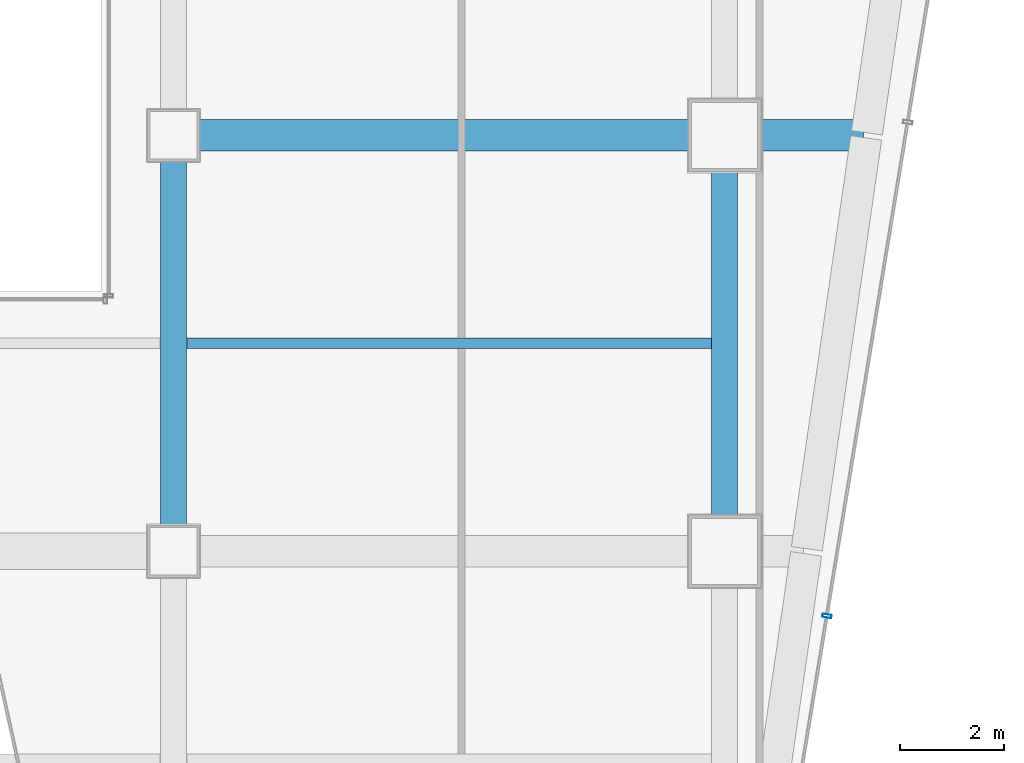
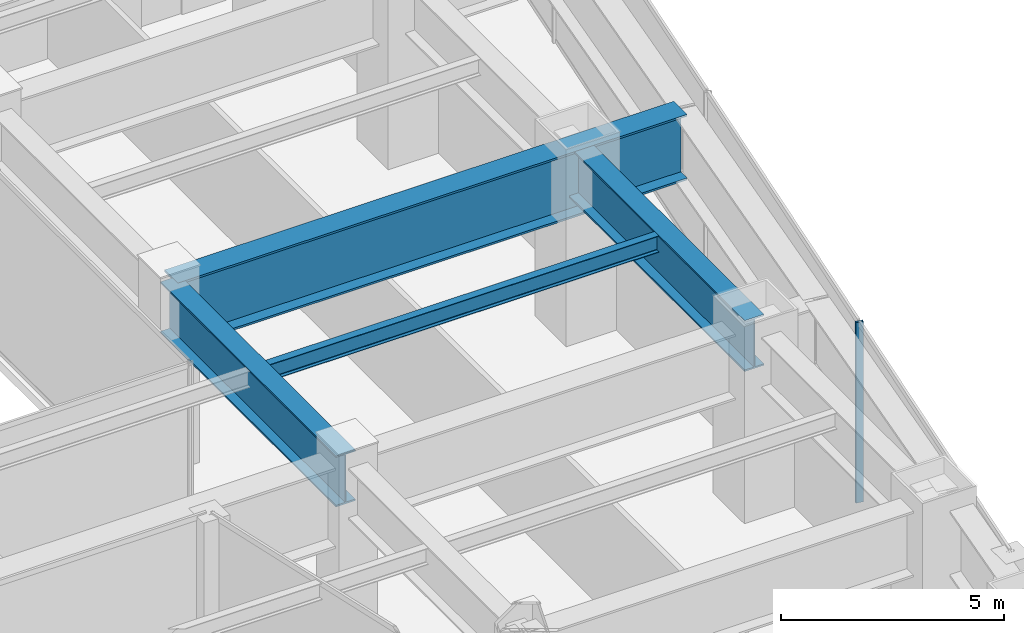
# One storey, part 21 of 42: 4 beams, 1 member, 1 element without a shape of its own.
"""IFC4 building model written with IfcOpenShell, lengths in metres."""

from ifc_helpers import new_model, si_unit, direction, frame, origin, origin_2d, place, context, subcontext, project, spatial, hollow_rectangle, i_section, extrude, material, material_profile, profile_set, type_object, element, aggregate, save


model = new_model("IFC4")

# Units and contexts
model_context = context("Model", 3, precision=1e-05, world=origin(), true_north=direction((0.0, 1.0)))
body_context = subcontext(model_context, "Body", "Model", "MODEL_VIEW")
ifc_project = project(units=[si_unit("LENGTHUNIT", "METRE"), si_unit("AREAUNIT", "SQUARE_METRE"), si_unit("VOLUMEUNIT", "CUBIC_METRE"), si_unit("PLANEANGLEUNIT", "RADIAN"), si_unit("MASSUNIT", "GRAM", prefix="KILO")], contexts=[model_context])

# Site, building, storey
site_placement = place(None, origin())
site = spatial("IfcSite", under=ifc_project, at=site_placement, CompositionType="ELEMENT")
building_placement = place(site_placement, origin())
building = spatial("IfcBuilding", under=site, at=building_placement, Name="Saevonmaru Cultural Tower", CompositionType="ELEMENT")
storey_placement = place(building_placement, frame((0.0, 0.0, 33.0)))
storey = spatial("IfcBuildingStorey", under=building, at=storey_placement, Name="L06", CompositionType="ELEMENT", Elevation=33.0)

# Beams
ifc_material_1 = material(Name="Steel SM355", Category="steel")
ifc_material_profile_1 = material_profile(ifc_material_1, i_section(OverallWidth=0.199951171875, OverallDepth=0.449951171875, WebThickness=0.009033203125, FlangeThickness=0.013916015625, FilletRadius=0.01806640625, at=origin_2d()), Name="H-450x200x9x14")
ifc_profile_set_1 = profile_set([ifc_material_profile_1], Name="Steel SM355")
beam_type_1 = type_object("IfcBeamType", Name="BM-J-H450", PredefinedType="JOIST", material=ifc_profile_set_1)
beam_1_placement = place(storey_placement, frame((37.4580078125, 20.0, 4.72509765625), z_axis=(1.0, 0.0, 0.0), x_axis=(0.0, 1.0, 0.0)))
element("IfcBeam", 1, at=beam_1_placement, inside=storey, type_object=beam_type_1, Name="L06 Secondary Floor Joist JE-2", PredefinedType="JOIST", context=body_context, shape_type="SweptSolid", body=[
    extrude(i_section(OverallWidth=0.199951171875, OverallDepth=0.449951171875, WebThickness=0.009033203125, FlangeThickness=0.013916015625, FilletRadius=0.01806640625, at=origin_2d()), origin(), (0.0, 0.0, 1.0), 10.083984375),
])
ifc_material_2 = material(Name="Steel HSA600 (600 MPa)", Category="steel")
ifc_material_profile_2 = material_profile(ifc_material_2, i_section(OverallWidth=0.5, OverallDepth=1.39990234375, WebThickness=0.02392578125, FlangeThickness=0.044921875, at=origin_2d()), Name="PG-1400x500x24x45")
ifc_profile_set_2 = profile_set([ifc_material_profile_2], Name="Steel HSA600 (600 MPa)")
beam_type_2 = type_object("IfcBeamType", Name="BM-TG-PG1400", PredefinedType="BEAM", material=ifc_profile_set_2)
for number, where, z_axis, x_axis, name in (
    (2, (37.199951171875, 16.06005859375, 4.25), (0.0, 1.0, 0.0), (-1.0, 0.0, 0.0), "L06 Podium Girder NS3-3"),
    (3, (47.800048828125, 16.06005859375, 4.25), (0.0, 1.0, 0.0), (-1.0, 0.0, 0.0), "L06 Podium Girder NS4-3"),
):
    element("IfcBeam", number, at=place(storey_placement, frame(where, z_axis=z_axis, x_axis=x_axis)), inside=storey, type_object=beam_type_2, Name=name, PredefinedType="BEAM", context=body_context, shape_type="SweptSolid", body=[
        extrude(i_section(OverallWidth=0.5, OverallDepth=1.39990234375, WebThickness=0.02392578125, FlangeThickness=0.044921875, at=origin_2d()), origin(), (0.0, 0.0, 1.0), 7.8798828125),
    ])
ifc_material_profile_3 = material_profile(ifc_material_2, i_section(OverallWidth=0.60009765625, OverallDepth=1.800048828125, WebThickness=0.028076171875, FlangeThickness=0.054931640625, at=origin_2d()), Name="PG-1800x600x28x55")
ifc_profile_set_3 = profile_set([ifc_material_profile_3], Name="Steel HSA600 (600 MPa)")
beam_type_3 = type_object("IfcBeamType", Name="BM-TG-PG1800", PredefinedType="BEAM", material=ifc_profile_set_3)
beam_2_placement = place(storey_placement, frame((37.260009765625, 24.0, 4.050048828125), z_axis=(1.0, 0.0, 0.0), x_axis=(0.0, 1.0, 0.0)))
element("IfcBeam", 4, at=beam_2_placement, inside=storey, type_object=beam_type_3, Name="L06 Transfer Plate Girder E-3", PredefinedType="BEAM", context=body_context, shape_type="SweptSolid", body=[
    extrude(i_section(OverallWidth=0.60009765625, OverallDepth=1.800048828125, WebThickness=0.028076171875, FlangeThickness=0.054931640625, at=origin_2d()), origin(), (0.0, 0.0, 1.0), 13.2080078125),
])

# Curtain wall, member
ifc_material_3 = material(Name="Satin Bronze Anodised Aluminium", Category="aluminium")
curtain_wall_type = type_object("IfcCurtainWallType", Name="CW-SKY-GLZ", PredefinedType="NOTDEFINED", material=ifc_material_3)
curtain_wall_placement = place(storey_placement, origin())
curtain_wall = element("IfcCurtainWall", 5, at=curtain_wall_placement, inside=storey, type_object=curtain_wall_type, Name="L06 Unitised Curtain Wall E8", PredefinedType="NOTDEFINED")
ifc_material_profile_4 = material_profile(ifc_material_3, hollow_rectangle(XDim=0.06494140625, YDim=0.179931640625, WallThickness=0.00390625, at=origin_2d()), Name="ALU-MULL-180x65x4")
ifc_profile_set_4 = profile_set([ifc_material_profile_4], Name="Satin Bronze Anodised Aluminium")
member_type = type_object("IfcMemberType", Name="ML-CW-180x65", PredefinedType="MULLION", material=ifc_profile_set_4)
member_placement = place(storey_placement, frame((49.765869140625, 14.755615234375, 0.0), z_axis=(0.0, 0.0, 1.0), x_axis=(0.161708868641, 0.986838508472, 0.0)))
member = element("IfcMember", 6, at=member_placement, type_object=member_type, Name="CW-TW-L06-E8 mullion 2", PredefinedType="MULLION", context=body_context, shape_type="SweptSolid", body=[
    extrude(hollow_rectangle(XDim=0.06494140625, YDim=0.179931640625, WallThickness=0.00390625, at=origin_2d()), origin(), (0.0, 0.0, 1.0), 4.949951171875),
])
aggregate(curtain_wall, [member])

save(model, "model.ifc")
